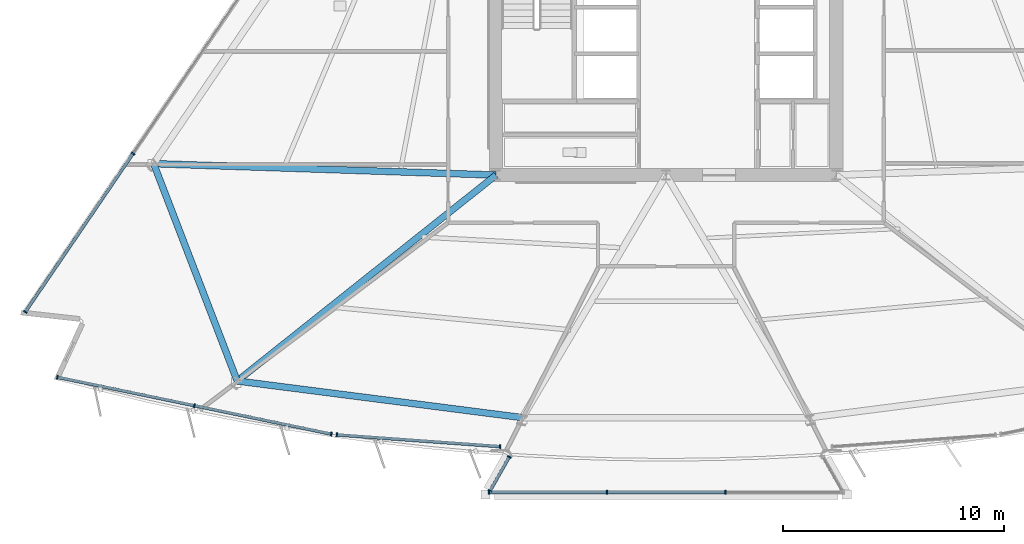
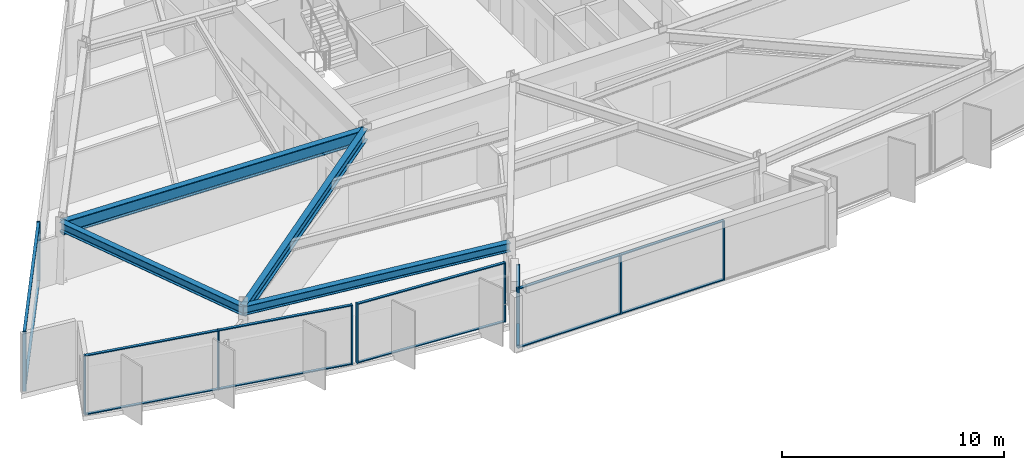
# One storey, part 2 of 16: 26 members, 4 beams, 5 elements without a shape of their own.
"""IFC4 building model written with IfcOpenShell, lengths in metres."""

from ifc_helpers import new_model, si_unit, direction, frame, origin, origin_2d, place, context, subcontext, project, spatial, rectangle, i_section, extrude, material, material_profile, profile_set, type_object, element, aggregate, save


model = new_model("IFC4")

# Units and contexts
model_context = context("Model", 3, precision=1e-05, world=origin(), true_north=direction((0.0, 1.0)))
body_context = subcontext(model_context, "Body", "Model", "MODEL_VIEW")
ifc_project = project(units=[si_unit("LENGTHUNIT", "METRE"), si_unit("AREAUNIT", "SQUARE_METRE"), si_unit("VOLUMEUNIT", "CUBIC_METRE"), si_unit("PLANEANGLEUNIT", "RADIAN"), si_unit("MASSUNIT", "GRAM", prefix="KILO")], contexts=[model_context])

# Site, building, storey
site_placement = place(None, origin())
site = spatial("IfcSite", under=ifc_project, at=site_placement, CompositionType="ELEMENT")
building_placement = place(site_placement, origin())
building = spatial("IfcBuilding", under=site, at=building_placement, Name="Savorim Split Tower", CompositionType="ELEMENT")
storey_placement = place(building_placement, frame((0.0, 0.0, 69.60009765625)))
storey = spatial("IfcBuildingStorey", under=building, at=storey_placement, Name="L18", CompositionType="ELEMENT", Elevation=69.60009765625)

# Beams
ifc_material_1 = material(Name="Steel S355", Category="steel")
ifc_material_profile_1 = material_profile(ifc_material_1, i_section(OverallWidth=0.300048828125, OverallDepth=0.60009765625, WebThickness=0.015380859375, FlangeThickness=0.030029296875, FilletRadius=0.027099609375, at=origin_2d()), Name="HEB 600")
ifc_profile_set_1 = profile_set([ifc_material_profile_1], Name="Steel S355")
beam_type_1 = type_object("IfcBeamType", Name="BM-PRI-HEB600", PredefinedType="BEAM", material=ifc_profile_set_1)
beam_1_placement = place(storey_placement, frame((-19.419677734375, -18.72412109375, 2.97998046875), z_axis=(0.782545457248, 0.622593452696, 0.0), x_axis=(-0.622593452696, 0.782545457248, 0.0)))
element("IfcBeam", 1, at=beam_1_placement, inside=storey, type_object=beam_type_1, Name="L18 Primary Floor Girder RG-01", PredefinedType="BEAM", context=body_context, shape_type="SweptSolid", body=[
    extrude(i_section(OverallWidth=0.300048828125, OverallDepth=0.60009765625, WebThickness=0.015380859375, FlangeThickness=0.030029296875, FilletRadius=0.027099609375, at=origin_2d()), origin(), (0.0, 0.0, 1.0), 14.976318359375),
])
ifc_material_2 = material(Name="Steel S460", Category="steel")
ifc_material_profile_2 = material_profile(ifc_material_2, i_section(OverallWidth=0.303955078125, OverallDepth=0.716064453125, WebThickness=0.02099609375, FlangeThickness=0.0400390625, FilletRadius=0.027099609375, at=origin_2d()), Name="HE 700 M")
ifc_profile_set_2 = profile_set([ifc_material_profile_2], Name="Steel S460")
beam_type_2 = type_object("IfcBeamType", Name="BM-PRI-HEM700", PredefinedType="BEAM", material=ifc_profile_set_2)
beam_2_placement = place(storey_placement, frame((-23.2041015625, -8.88330078125, 2.921875), z_axis=(0.999445343576, -0.033301729738, 0.0), x_axis=(0.033301729738, 0.999445343576, 0.0)))
element("IfcBeam", 2, at=beam_2_placement, inside=storey, type_object=beam_type_2, Name="L18 Primary Floor Girder RG-10", PredefinedType="BEAM", context=body_context, shape_type="SweptSolid", body=[
    extrude(i_section(OverallWidth=0.303955078125, OverallDepth=0.716064453125, WebThickness=0.02099609375, FlangeThickness=0.0400390625, FilletRadius=0.027099609375, at=origin_2d()), origin(), (0.0, 0.0, 1.0), 15.5126953125),
])
ifc_material_profile_3 = material_profile(ifc_material_1, i_section(OverallWidth=0.300048828125, OverallDepth=0.489990234375, WebThickness=0.011962890625, FlangeThickness=0.02294921875, FilletRadius=0.027099609375, at=origin_2d()), Name="HEA 500")
ifc_profile_set_3 = profile_set([ifc_material_profile_3], Name="Steel S355")
beam_type_3 = type_object("IfcBeamType", Name="BM-SPN-HEA500", PredefinedType="SPANDREL", material=ifc_profile_set_3)
beam_3_placement = place(storey_placement, frame((-19.419677734375, -18.72412109375, 3.034912109375), z_axis=(0.991857991032, -0.127348834413, 0.0), x_axis=(0.127348834413, 0.991857991032, 0.0)))
element("IfcBeam", 3, at=beam_3_placement, inside=storey, type_object=beam_type_3, Name="L18 Perimeter Spandrel Beam 1", PredefinedType="SPANDREL", context=body_context, shape_type="SweptSolid", body=[
    extrude(i_section(OverallWidth=0.300048828125, OverallDepth=0.489990234375, WebThickness=0.011962890625, FlangeThickness=0.02294921875, FilletRadius=0.027099609375, at=origin_2d()), origin(), (0.0, 0.0, 1.0), 13.01708984375),
])
beam_4_placement = place(storey_placement, frame((-23.2041015625, -8.88330078125, 3.034912109375), z_axis=(0.358937183761, -0.933361718796, 0.0), x_axis=(0.933361718796, 0.358937183761, 0.0)))
element("IfcBeam", 4, at=beam_4_placement, inside=storey, type_object=beam_type_3, Name="L18 Perimeter Spandrel Beam 10", PredefinedType="SPANDREL", context=body_context, shape_type="SweptSolid", body=[
    extrude(i_section(OverallWidth=0.300048828125, OverallDepth=0.489990234375, WebThickness=0.011962890625, FlangeThickness=0.02294921875, FilletRadius=0.027099609375, at=origin_2d()), origin(), (0.0, 0.0, 1.0), 10.54345703125),
])

# Curtain wall, members
ifc_material_3 = material(Name="Dark Ceramic-Fritted Insulated Glass", Category="glass")
curtain_wall_type_1 = type_object("IfcCurtainWallType", Name="CW-TWR-FRIT-A", PredefinedType="NOTDEFINED", material=ifc_material_3)
curtain_wall_1_placement = place(storey_placement, origin())
curtain_wall_1 = element("IfcCurtainWall", 5, at=curtain_wall_1_placement, inside=storey, type_object=curtain_wall_type_1, Name="L18 Curtain Wall CW-L18-SF1A", PredefinedType="NOTDEFINED")
ifc_material_4 = material(Name="Charcoal Anodised Aluminium", Category="aluminium")
ifc_material_profile_4 = material_profile(ifc_material_4, rectangle(XDim=0.179931640625, YDim=0.06494140625, at=origin_2d()), Name="ALU-M 180x65")
ifc_profile_set_4 = profile_set([ifc_material_profile_4], Name="Charcoal Anodised Aluminium")
member_type_1 = type_object("IfcMemberType", Name="CWM-180x65", PredefinedType="MULLION", material=ifc_profile_set_4)
member_1_placement = place(storey_placement, frame((-27.564208984375, -18.551025390625, 0.0), z_axis=(0.0, 0.0, 1.0), x_axis=(0.203216172809, 0.979133896415, 0.0)))
member_1 = element("IfcMember", 6, at=member_1_placement, type_object=member_type_1, Name="CW-02 mullion 1", PredefinedType="MULLION", context=body_context, shape_type="SweptSolid", body=[
    extrude(rectangle(XDim=0.179931640625, YDim=0.06494140625, at=origin_2d()), origin(), (0.0, 0.0, 1.0), 3.27978515625),
])
member_2_placement = place(storey_placement, frame((-21.3603515625, -19.838623046875, 0.0), z_axis=(0.0, 0.0, 1.0), x_axis=(0.203216172809, 0.979133896415, 0.0)))
member_2 = element("IfcMember", 7, at=member_2_placement, type_object=member_type_1, Name="CW-02 mullion 2", PredefinedType="MULLION", context=body_context, shape_type="SweptSolid", body=[
    extrude(rectangle(XDim=0.179931640625, YDim=0.06494140625, at=origin_2d()), origin(), (0.0, 0.0, 1.0), 3.27978515625),
])
member_3_placement = place(storey_placement, frame((-15.156494140625, -21.126220703125, 0.0), z_axis=(0.0, 0.0, 1.0), x_axis=(0.203216172809, 0.979133896415, 0.0)))
member_3 = element("IfcMember", 8, at=member_3_placement, type_object=member_type_1, Name="CW-02 mullion 3", PredefinedType="MULLION", context=body_context, shape_type="SweptSolid", body=[
    extrude(rectangle(XDim=0.179931640625, YDim=0.06494140625, at=origin_2d()), origin(), (0.0, 0.0, 1.0), 3.27978515625),
])

curtain_wall_2_placement = place(storey_placement, origin())
curtain_wall_2 = element("IfcCurtainWall", 9, at=curtain_wall_2_placement, inside=storey, type_object=curtain_wall_type_1, Name="L18 Curtain Wall CW-L18-SF2A", PredefinedType="NOTDEFINED")
member_4_placement = place(storey_placement, frame((-14.910400390625, -21.160400390625, 0.0), z_axis=(0.0, 0.0, 1.0), x_axis=(0.071546359352, 0.997437275453, 0.0)))
member_4 = element("IfcMember", 10, at=member_4_placement, type_object=member_type_1, Name="CW-02 mullion 1", PredefinedType="MULLION", context=body_context, shape_type="SweptSolid", body=[
    extrude(rectangle(XDim=0.179931640625, YDim=0.06494140625, at=origin_2d()), origin(), (0.0, 0.0, 1.0), 3.27978515625),
])
member_5_placement = place(storey_placement, frame((-7.515380859375, -21.69091796875, 0.0), z_axis=(0.0, 0.0, 1.0), x_axis=(0.071546359352, 0.997437275453, 0.0)))
member_5 = element("IfcMember", 11, at=member_5_placement, type_object=member_type_1, Name="CW-02 mullion 2", PredefinedType="MULLION", context=body_context, shape_type="SweptSolid", body=[
    extrude(rectangle(XDim=0.179931640625, YDim=0.06494140625, at=origin_2d()), origin(), (0.0, 0.0, 1.0), 3.27978515625),
])

curtain_wall_type_2 = type_object("IfcCurtainWallType", Name="CW-BAY-LOUNGE", PredefinedType="NOTDEFINED", material=ifc_material_3)
curtain_wall_3_placement = place(storey_placement, origin())
curtain_wall_3 = element("IfcCurtainWall", 12, at=curtain_wall_3_placement, inside=storey, type_object=curtain_wall_type_2, Name="L18 Curtain Wall CW-L18-BAYF", PredefinedType="NOTDEFINED")
member_6_placement = place(storey_placement, frame((-8.025146484375, -23.759765625, 0.0), z_axis=(0.0, 0.0, 1.0), x_axis=(0.0, 1.0, 0.0)))
member_6 = element("IfcMember", 13, at=member_6_placement, type_object=member_type_1, Name="CW-04 mullion 1", PredefinedType="MULLION", context=body_context, shape_type="SweptSolid", body=[
    extrude(rectangle(XDim=0.179931640625, YDim=0.06494140625, at=origin_2d()), origin(), (0.0, 0.0, 1.0), 3.27978515625),
])
member_7_placement = place(storey_placement, frame((-2.685791015625, -23.759765625, 0.0), z_axis=(0.0, 0.0, 1.0), x_axis=(0.0, 1.0, 0.0)))
member_7 = element("IfcMember", 14, at=member_7_placement, type_object=member_type_1, Name="CW-04 mullion 2", PredefinedType="MULLION", context=body_context, shape_type="SweptSolid", body=[
    extrude(rectangle(XDim=0.179931640625, YDim=0.06494140625, at=origin_2d()), origin(), (0.0, 0.0, 1.0), 3.27978515625),
])
member_8_placement = place(storey_placement, frame((2.685791015625, -23.759765625, 0.0), z_axis=(0.0, 0.0, 1.0), x_axis=(0.0, 1.0, 0.0)))
member_8 = element("IfcMember", 15, at=member_8_placement, type_object=member_type_1, Name="CW-04 mullion 3", PredefinedType="MULLION", context=body_context, shape_type="SweptSolid", body=[
    extrude(rectangle(XDim=0.179931640625, YDim=0.06494140625, at=origin_2d()), origin(), (0.0, 0.0, 1.0), 3.27978515625),
])

curtain_wall_4_placement = place(storey_placement, origin())
curtain_wall_4 = element("IfcCurtainWall", 16, at=curtain_wall_4_placement, inside=storey, type_object=curtain_wall_type_2, Name="L18 Curtain Wall CW-L18-BAYW", PredefinedType="NOTDEFINED")
member_9_placement = place(storey_placement, frame((-7.102294921875, -22.16162109375, 0.0), z_axis=(0.0, 0.0, 1.0), x_axis=(0.870451171498, -0.492254769442, 0.0)))
member_9 = element("IfcMember", 17, at=member_9_placement, type_object=member_type_1, Name="CW-04 mullion 1", PredefinedType="MULLION", context=body_context, shape_type="SweptSolid", body=[
    extrude(rectangle(XDim=0.179931640625, YDim=0.06494140625, at=origin_2d()), origin(), (0.0, 0.0, 1.0), 3.27978515625),
])
member_10_placement = place(storey_placement, frame((-7.9736328125, -23.702392578125, 0.0), z_axis=(0.0, 0.0, 1.0), x_axis=(0.870451171498, -0.492254769442, 0.0)))
member_10 = element("IfcMember", 18, at=member_10_placement, type_object=member_type_1, Name="CW-04 mullion 2", PredefinedType="MULLION", context=body_context, shape_type="SweptSolid", body=[
    extrude(rectangle(XDim=0.179931640625, YDim=0.06494140625, at=origin_2d()), origin(), (0.0, 0.0, 1.0), 3.27978515625),
])

curtain_wall_5_placement = place(storey_placement, origin())
curtain_wall_5 = element("IfcCurtainWall", 19, at=curtain_wall_5_placement, inside=storey, type_object=curtain_wall_type_1, Name="L18 Curtain Wall CW-L18-WEST", PredefinedType="NOTDEFINED")
member_11_placement = place(storey_placement, frame((-24.13720703125, -8.42578125, 0.0), z_axis=(0.0, 0.0, 1.0), x_axis=(0.826820172644, -0.562466356423, 0.0)))
member_11 = element("IfcMember", 20, at=member_11_placement, type_object=member_type_1, Name="CW-02 mullion 4", PredefinedType="MULLION", context=body_context, shape_type="SweptSolid", body=[
    extrude(rectangle(XDim=0.179931640625, YDim=0.06494140625, at=origin_2d()), origin(), (0.0, 0.0, 1.0), 3.27978515625),
])
member_12_placement = place(storey_placement, frame((-29.014404296875, -15.59521484375, 0.0), z_axis=(0.0, 0.0, 1.0), x_axis=(0.826820172644, -0.562466356423, 0.0)))
member_12 = element("IfcMember", 21, at=member_12_placement, type_object=member_type_1, Name="CW-02 mullion 5", PredefinedType="MULLION", context=body_context, shape_type="SweptSolid", body=[
    extrude(rectangle(XDim=0.179931640625, YDim=0.06494140625, at=origin_2d()), origin(), (0.0, 0.0, 1.0), 3.27978515625),
])

# Member
ifc_material_profile_5 = material_profile(ifc_material_4, rectangle(XDim=0.139892578125, YDim=0.054931640625, at=origin_2d()), Name="ALU-T 140x55")
ifc_profile_set_5 = profile_set([ifc_material_profile_5], Name="Charcoal Anodised Aluminium")
member_type_2 = type_object("IfcMemberType", Name="CWT-140x55", PredefinedType="USERDEFINED", material=ifc_profile_set_5)
member_13_placement = place(storey_placement, frame((-27.532470703125, -18.5576171875, 0.02734375), z_axis=(0.979132375842, -0.203223499081, 0.0), x_axis=(0.203223499081, 0.979132375842, 0.0)))
member_13 = element("IfcMember", 22, at=member_13_placement, type_object=member_type_2, Name="CW-02 transom 1.1", ObjectType="TRANSOM", PredefinedType="USERDEFINED", context=body_context, shape_type="SweptSolid", body=[
    extrude(rectangle(XDim=0.139892578125, YDim=0.054931640625, at=origin_2d()), origin(), (0.0, 0.0, 1.0), 6.27099609375),
])

member_14_placement = place(storey_placement, frame((-27.532470703125, -18.5576171875, 3.25244140625), z_axis=(0.979132375842, -0.203223499081, 0.0), x_axis=(0.203223499081, 0.979132375842, 0.0)))
member_14 = element("IfcMember", 23, at=member_14_placement, type_object=member_type_2, Name="CW-02 transom 1.2", ObjectType="TRANSOM", PredefinedType="USERDEFINED", context=body_context, shape_type="SweptSolid", body=[
    extrude(rectangle(XDim=0.139892578125, YDim=0.054931640625, at=origin_2d()), origin(), (0.0, 0.0, 1.0), 6.27099609375),
])

member_15_placement = place(storey_placement, frame((-21.32861328125, -19.84521484375, 0.02734375), z_axis=(0.979133983621, -0.203215752634, 0.0), x_axis=(0.203215752634, 0.979133983621, 0.0)))
member_15 = element("IfcMember", 24, at=member_15_placement, type_object=member_type_2, Name="CW-02 transom 2.1", ObjectType="TRANSOM", PredefinedType="USERDEFINED", context=body_context, shape_type="SweptSolid", body=[
    extrude(rectangle(XDim=0.139892578125, YDim=0.054931640625, at=origin_2d()), origin(), (0.0, 0.0, 1.0), 6.271240234375),
])

member_16_placement = place(storey_placement, frame((-21.32861328125, -19.84521484375, 3.25244140625), z_axis=(0.979133983621, -0.203215752634, 0.0), x_axis=(0.203215752634, 0.979133983621, 0.0)))
member_16 = element("IfcMember", 25, at=member_16_placement, type_object=member_type_2, Name="CW-02 transom 2.2", ObjectType="TRANSOM", PredefinedType="USERDEFINED", context=body_context, shape_type="SweptSolid", body=[
    extrude(rectangle(XDim=0.139892578125, YDim=0.054931640625, at=origin_2d()), origin(), (0.0, 0.0, 1.0), 6.271240234375),
])

aggregate(curtain_wall_1, [member_1, member_2, member_3, member_13, member_14, member_15, member_16])

member_17_placement = place(storey_placement, frame((-14.878173828125, -21.162841796875, 0.02734375), z_axis=(0.997438931774, -0.071523264616, 0.0), x_axis=(0.071523264616, 0.997438931774, 0.0)))
member_17 = element("IfcMember", 26, at=member_17_placement, type_object=member_type_2, Name="CW-02 transom 1.1", ObjectType="TRANSOM", PredefinedType="USERDEFINED", context=body_context, shape_type="SweptSolid", body=[
    extrude(rectangle(XDim=0.139892578125, YDim=0.054931640625, at=origin_2d()), origin(), (0.0, 0.0, 1.0), 7.34912109375),
])

member_18_placement = place(storey_placement, frame((-14.878173828125, -21.162841796875, 3.25244140625), z_axis=(0.997438931774, -0.071523264616, 0.0), x_axis=(0.071523264616, 0.997438931774, 0.0)))
member_18 = element("IfcMember", 27, at=member_18_placement, type_object=member_type_2, Name="CW-02 transom 1.2", ObjectType="TRANSOM", PredefinedType="USERDEFINED", context=body_context, shape_type="SweptSolid", body=[
    extrude(rectangle(XDim=0.139892578125, YDim=0.054931640625, at=origin_2d()), origin(), (0.0, 0.0, 1.0), 7.34912109375),
])

aggregate(curtain_wall_2, [member_4, member_5, member_17, member_18])

member_19_placement = place(storey_placement, frame((-7.99267578125, -23.759765625, 0.02734375), z_axis=(1.0, 0.0, 0.0), x_axis=(0.0, 1.0, 0.0)))
member_19 = element("IfcMember", 28, at=member_19_placement, type_object=member_type_2, Name="CW-04 transom 1.1", ObjectType="TRANSOM", PredefinedType="USERDEFINED", context=body_context, shape_type="SweptSolid", body=[
    extrude(rectangle(XDim=0.139892578125, YDim=0.054931640625, at=origin_2d()), origin(), (0.0, 0.0, 1.0), 5.2744140625),
])

member_20_placement = place(storey_placement, frame((-7.99267578125, -23.759765625, 3.25244140625), z_axis=(1.0, 0.0, 0.0), x_axis=(0.0, 1.0, 0.0)))
member_20 = element("IfcMember", 29, at=member_20_placement, type_object=member_type_2, Name="CW-04 transom 1.2", ObjectType="TRANSOM", PredefinedType="USERDEFINED", context=body_context, shape_type="SweptSolid", body=[
    extrude(rectangle(XDim=0.139892578125, YDim=0.054931640625, at=origin_2d()), origin(), (0.0, 0.0, 1.0), 5.2744140625),
])

member_21_placement = place(storey_placement, frame((-2.6533203125, -23.759765625, 0.02734375), z_axis=(1.0, 0.0, 0.0), x_axis=(0.0, 1.0, 0.0)))
member_21 = element("IfcMember", 30, at=member_21_placement, type_object=member_type_2, Name="CW-04 transom 2.1", ObjectType="TRANSOM", PredefinedType="USERDEFINED", context=body_context, shape_type="SweptSolid", body=[
    extrude(rectangle(XDim=0.139892578125, YDim=0.054931640625, at=origin_2d()), origin(), (0.0, 0.0, 1.0), 5.306640625),
])

member_22_placement = place(storey_placement, frame((-2.6533203125, -23.759765625, 3.25244140625), z_axis=(1.0, 0.0, 0.0), x_axis=(0.0, 1.0, 0.0)))
member_22 = element("IfcMember", 31, at=member_22_placement, type_object=member_type_2, Name="CW-04 transom 2.2", ObjectType="TRANSOM", PredefinedType="USERDEFINED", context=body_context, shape_type="SweptSolid", body=[
    extrude(rectangle(XDim=0.139892578125, YDim=0.054931640625, at=origin_2d()), origin(), (0.0, 0.0, 1.0), 5.306640625),
])

aggregate(curtain_wall_3, [member_6, member_7, member_8, member_19, member_20, member_21, member_22])

member_23_placement = place(storey_placement, frame((-7.118408203125, -22.18994140625, 0.02734375), z_axis=(-0.492170497678, -0.870498823213, 0.0), x_axis=(0.870498823213, -0.492170497678, 0.0)))
member_23 = element("IfcMember", 32, at=member_23_placement, type_object=member_type_2, Name="CW-04 transom 1.1", ObjectType="TRANSOM", PredefinedType="USERDEFINED", context=body_context, shape_type="SweptSolid", body=[
    extrude(rectangle(XDim=0.139892578125, YDim=0.054931640625, at=origin_2d()), origin(), (0.0, 0.0, 1.0), 1.704833984375),
])

member_24_placement = place(storey_placement, frame((-7.118408203125, -22.18994140625, 3.25244140625), z_axis=(-0.492170497678, -0.870498823213, 0.0), x_axis=(0.870498823213, -0.492170497678, 0.0)))
member_24 = element("IfcMember", 33, at=member_24_placement, type_object=member_type_2, Name="CW-04 transom 1.2", ObjectType="TRANSOM", PredefinedType="USERDEFINED", context=body_context, shape_type="SweptSolid", body=[
    extrude(rectangle(XDim=0.139892578125, YDim=0.054931640625, at=origin_2d()), origin(), (0.0, 0.0, 1.0), 1.704833984375),
])

aggregate(curtain_wall_4, [member_9, member_10, member_23, member_24])

member_25_placement = place(storey_placement, frame((-24.155517578125, -8.45263671875, 0.02734375), z_axis=(-0.562459768651, -0.826824654113, 0.0), x_axis=(0.826824654113, -0.562459768651, 0.0)))
member_25 = element("IfcMember", 34, at=member_25_placement, type_object=member_type_2, Name="CW-02 transom 4.1", ObjectType="TRANSOM", PredefinedType="USERDEFINED", context=body_context, shape_type="SweptSolid", body=[
    extrude(rectangle(XDim=0.139892578125, YDim=0.054931640625, at=origin_2d()), origin(), (0.0, 0.0, 1.0), 8.606201171875),
])

member_26_placement = place(storey_placement, frame((-24.155517578125, -8.45263671875, 3.25244140625), z_axis=(-0.562459768651, -0.826824654113, 0.0), x_axis=(0.826824654113, -0.562459768651, 0.0)))
member_26 = element("IfcMember", 35, at=member_26_placement, type_object=member_type_2, Name="CW-02 transom 4.2", ObjectType="TRANSOM", PredefinedType="USERDEFINED", context=body_context, shape_type="SweptSolid", body=[
    extrude(rectangle(XDim=0.139892578125, YDim=0.054931640625, at=origin_2d()), origin(), (0.0, 0.0, 1.0), 8.606201171875),
])

aggregate(curtain_wall_5, [member_11, member_12, member_25, member_26])

save(model, "model.ifc")
